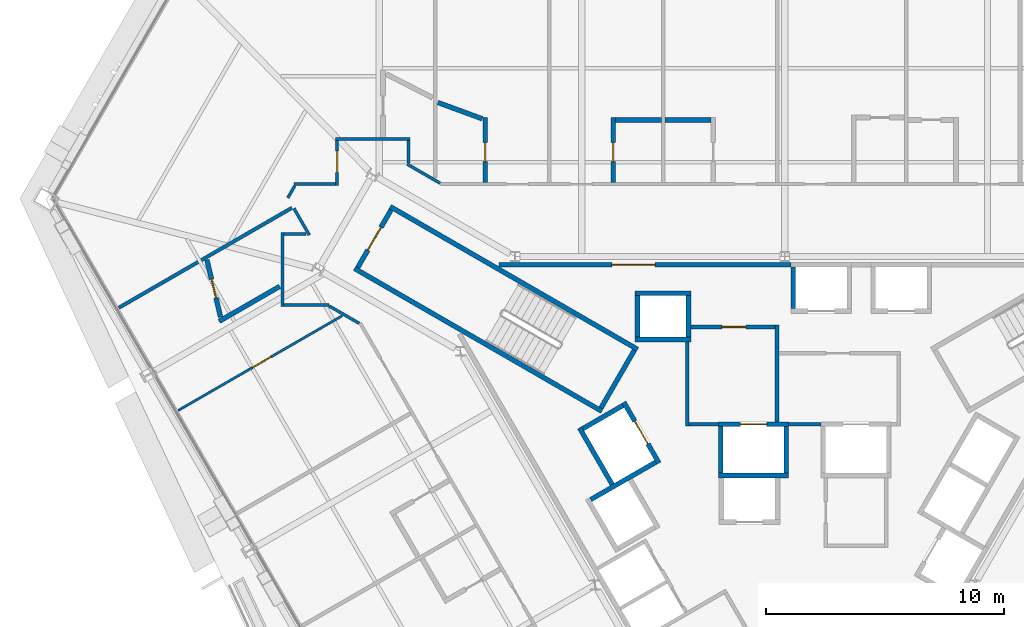
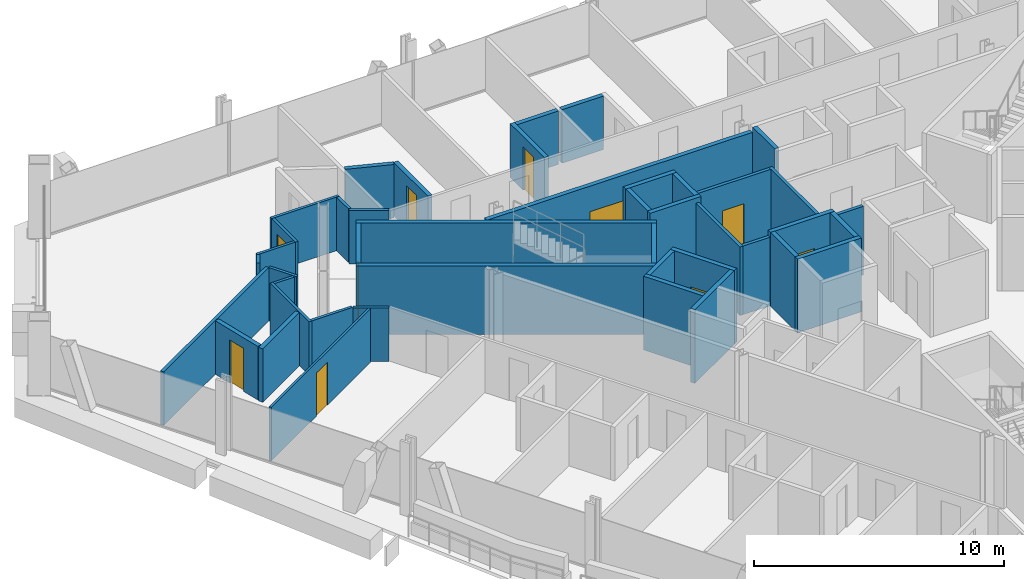
# One storey, part 14 of 18: 43 walls, 10 doors, 10 openings.
"""IFC4 building model written with IfcOpenShell, lengths in metres."""

from ifc_helpers import new_model, si_unit, direction, frame, frame_2d, origin, place, context, subcontext, project, spatial, rectangle, extrude, material, layer, layer_set, type_object, element, fill, save


model = new_model("IFC4")

# Units and contexts
model_context = context("Model", 3, precision=1e-05, world=origin(), true_north=direction((0.0, 1.0)))
body_context = subcontext(model_context, "Body", "Model", "MODEL_VIEW")
ifc_project = project(units=[si_unit("LENGTHUNIT", "METRE"), si_unit("AREAUNIT", "SQUARE_METRE"), si_unit("VOLUMEUNIT", "CUBIC_METRE"), si_unit("PLANEANGLEUNIT", "RADIAN"), si_unit("MASSUNIT", "GRAM", prefix="KILO")], contexts=[model_context])

# Site, building, storey
site_placement = place(None, origin())
site = spatial("IfcSite", under=ifc_project, at=site_placement, CompositionType="ELEMENT")
building_placement = place(site_placement, origin())
building = spatial("IfcBuilding", under=site, at=building_placement, Name="Verrane Prism Tower", CompositionType="ELEMENT")
storey_placement = place(building_placement, frame((0.0, 0.0, 54.800048828125)))
storey = spatial("IfcBuildingStorey", under=building, at=storey_placement, Name="L11", CompositionType="ELEMENT", Elevation=54.800048828125)

# Wall, opening, door
ifc_material_1 = material(Name="Gypsum board partition", Category="other")
ifc_layer_1 = layer(ifc_material_1, 0.199951171875)
ifc_layer_set_1 = layer_set([ifc_layer_1], Name="CW-200 core boundary wall 2 h")
wall_type_1 = type_object("IfcWallType", Name="CW-200 core boundary wall 2 h", PredefinedType="PARTITIONING", material=ifc_layer_set_1)
wall_1_placement = place(storey_placement, frame((0.262939453125, 8.860107421875, 0.0), z_axis=(0.0, 0.0, 1.0), x_axis=(-1.0, 0.0, 0.0)))
wall_1 = element("IfcWall", 1, at=wall_1_placement, inside=storey, type_object=wall_type_1, Name="Core boundary wall CW3-002", PredefinedType="PARTITIONING", context=body_context, shape_type="SweptSolid", body=[
    extrude(rectangle(XDim=12.25390625, YDim=0.199951171875, at=frame_2d((6.126953125, 0.0))), origin(), (0.0, 0.0, 1.0), 3.349853515625),
])
opening_1_placement = place(wall_1_placement, frame((5.708984375, 0.0, 0.0)))
opening_1 = element("IfcOpeningElement", 2, at=opening_1_placement, cuts=wall_1, Name="Opening D09511", PredefinedType="OPENING", context=body_context, shape_type="SweptSolid", body=[
    extrude(rectangle(XDim=1.800048828125, YDim=2.10009765625, at=frame_2d((0.89990234375, 1.050048828125))), frame((0.0, 0.10986328125, 0.0), z_axis=(0.0, -1.0, 0.0), x_axis=(1.0, 0.0, 0.0)), (0.0, 0.0, 1.0), 0.219970703125),
])
ifc_material_2 = material(Name="Timber veneered door leaf", Category="wood")
door_type_1 = type_object("IfcDoorType", Name="DR-1800x2100 FD60 double leaf lift lobby", OperationType="NOTDEFINED", PredefinedType="DOOR", material=ifc_material_2)
door_1_placement = place(opening_1_placement, origin())
door_1 = element("IfcDoor", 3, at=door_1_placement, inside=storey, type_object=door_type_1, Name="Lift lobby door D09511", OperationType="DOUBLE_DOOR_SINGLE_SWING", OverallHeight=2.10009765625, OverallWidth=1.800048828125, PredefinedType="DOOR", context=body_context, shape_type="SweptSolid", body=[
    extrude(rectangle(XDim=1.800048828125, YDim=2.10009765625, at=frame_2d((0.89990234375, 1.050048828125))), frame((0.0, 0.02490234375, 0.0), z_axis=(0.0, -1.0, 0.0), x_axis=(1.0, 0.0, 0.0)), (0.0, 0.0, 1.0), 0.050048828125),
])
fill(opening_1, door_1)

ifc_material_3 = material(Name="Concrete C40/50", Category="concrete")
ifc_layer_2 = layer(ifc_material_3, 0.199951171875)
ifc_layer_set_2 = layer_set([ifc_layer_2], Name="CW-200 stair core wall concrete C40/50 3 h")
wall_type_2 = type_object("IfcWallType", Name="CW-200 stair core wall concrete C40/50 3 h", PredefinedType="PARTITIONING", material=ifc_layer_set_2)
wall_2_placement = place(storey_placement, frame((-16.533935546875, 11.162353515625, 0.0), z_axis=(0.0, 0.0, 1.0), x_axis=(-0.49998411664, -0.866034573852, 0.0)))
wall_2 = element("IfcWall", 4, at=wall_2_placement, inside=storey, type_object=wall_type_2, Name="Stair 2 enclosure wall", PredefinedType="PARTITIONING", context=body_context, shape_type="SweptSolid", body=[
    extrude(rectangle(XDim=2.7998046875, YDim=0.199951171875, at=frame_2d((1.39990234375, 0.0))), origin(), (0.0, 0.0, 1.0), 3.349853515625),
])
opening_2_placement = place(wall_2_placement, frame((0.849853515625, 0.0, 0.0)))
opening_2 = element("IfcOpeningElement", 5, at=opening_2_placement, cuts=wall_2, Name="Opening D09501", PredefinedType="OPENING", context=body_context, shape_type="SweptSolid", body=[
    extrude(rectangle(XDim=1.10009765625, YDim=2.10009765625, at=frame_2d((0.550048828125, 1.050048828125))), frame((0.0, 0.10986328125, 0.0), z_axis=(0.0, -1.0, 0.0), x_axis=(1.0, 0.0, 0.0)), (0.0, 0.0, 1.0), 0.219970703125),
])
ifc_material_4 = material(Name="Timber veneered door leaf", Category="wood")
door_type_2 = type_object("IfcDoorType", Name="DR-1100x2100 FD90 single leaf stair", OperationType="NOTDEFINED", PredefinedType="DOOR", material=ifc_material_4)
door_2_placement = place(opening_2_placement, origin())
door_2 = element("IfcDoor", 6, at=door_2_placement, inside=storey, type_object=door_type_2, Name="Stair 2 door", OperationType="SINGLE_SWING_RIGHT", OverallHeight=2.10009765625, OverallWidth=1.10009765625, PredefinedType="DOOR", context=body_context, shape_type="SweptSolid", body=[
    extrude(rectangle(XDim=1.10009765625, YDim=2.10009765625, at=frame_2d((0.550048828125, 1.050048828125))), frame((0.0, 0.02490234375, 0.0), z_axis=(0.0, -1.0, 0.0), x_axis=(1.0, 0.0, 0.0)), (0.0, 0.0, 1.0), 0.050048828125),
])
fill(opening_2, door_2)

# Walls
for number, where, z_axis, x_axis, name in (
    (7, (-7.67822265625, 2.700927734375, 0.0), (0.0, 0.0, 1.0), (-0.866026010844, 0.49999894854, 0.0), "Stair 2 enclosure wall"),
    (8, (-6.17822265625, 5.299072265625, 0.0), (0.0, 0.0, 1.0), (-0.866026010844, 0.49999894854, 0.0), "Stair 2 enclosure wall"),
):
    element("IfcWall", number, at=place(storey_placement, frame(where, z_axis=z_axis, x_axis=x_axis)), inside=storey, type_object=wall_type_2, Name=name, PredefinedType="PARTITIONING", context=body_context, shape_type="SweptSolid", body=[
        extrude(rectangle(XDim=12.0, YDim=0.199951171875, at=frame_2d((6.0, 0.0))), origin(), (0.0, 0.0, 1.0), 3.349853515625),
    ])
wall_3_placement = place(storey_placement, frame((-6.314697265625, 5.262451171875, 0.0), z_axis=(0.0, 0.0, 1.0), x_axis=(-0.500049511043, -0.865996816683, 0.0)))
element("IfcWall", 9, at=wall_3_placement, inside=storey, type_object=wall_type_2, Name="Stair 2 enclosure wall", PredefinedType="PARTITIONING", context=body_context, shape_type="SweptSolid", body=[
    extrude(rectangle(XDim=2.800048828125, YDim=0.199951171875, at=frame_2d((1.39990234375, 0.0))), origin(), (0.0, 0.0, 1.0), 3.349853515625),
])
ifc_material_5 = material(Name="Gypsum board shaft wall assembly", Category="other")
ifc_layer_3 = layer(ifc_material_5, 0.199951171875)
ifc_layer_set_3 = layer_set([ifc_layer_3], Name="HW-200 lift shaft wall 2 h")
wall_type_3 = type_object("IfcWallType", Name="HW-200 lift shaft wall 2 h", PredefinedType="PARTITIONING", material=ifc_layer_set_3)
wall_4_placement = place(storey_placement, frame((-2.784912109375, 0.0, 0.0), z_axis=(0.0, 0.0, 1.0), x_axis=(1.0, 0.0, 0.0)))
element("IfcWall", 10, at=wall_4_placement, inside=storey, type_object=wall_type_3, Name="Lift shaft wall", PredefinedType="PARTITIONING", context=body_context, shape_type="SweptSolid", body=[
    extrude(rectangle(XDim=2.949951171875, YDim=0.199951171875, at=frame_2d((1.47509765625, 0.0))), origin(), (0.0, 0.0, 1.0), 3.599853515625),
])

# Wall, opening, door
wall_5_placement = place(storey_placement, frame((-2.784912109375, 2.14990234375, 0.0), z_axis=(0.0, 0.0, 1.0), x_axis=(1.0, 0.0, 0.0)))
wall_5 = element("IfcWall", 11, at=wall_5_placement, inside=storey, type_object=wall_type_3, Name="Lift shaft wall", PredefinedType="PARTITIONING", context=body_context, shape_type="SweptSolid", body=[
    extrude(rectangle(XDim=2.949951171875, YDim=0.199951171875, at=frame_2d((1.47509765625, 0.0))), origin(), (0.0, 0.0, 1.0), 3.599853515625),
])
opening_3_placement = place(wall_5_placement, frame((0.925048828125, 0.0, 0.0)))
opening_3 = element("IfcOpeningElement", 12, at=opening_3_placement, cuts=wall_5, Name="Opening D09508", PredefinedType="OPENING", context=body_context, shape_type="SweptSolid", body=[
    extrude(rectangle(XDim=1.10009765625, YDim=2.10009765625, at=frame_2d((0.550048828125, 1.050048828125))), frame((0.0, 0.10986328125, 0.0), z_axis=(0.0, -1.0, 0.0), x_axis=(1.0, 0.0, 0.0)), (0.0, 0.0, 1.0), 0.219970703125),
])
ifc_material_6 = material(Name="Stainless steel sliding landing door", Category="steel")
door_type_3 = type_object("IfcDoorType", Name="LD-1100x2100 lift landing door FD90 sliding", OperationType="NOTDEFINED", PredefinedType="DOOR", material=ifc_material_6)
door_3_placement = place(opening_3_placement, origin())
door_3 = element("IfcDoor", 13, at=door_3_placement, inside=storey, type_object=door_type_3, Name="Fire service lift 1 landing door", OperationType="SLIDING_TO_LEFT", OverallHeight=2.10009765625, OverallWidth=1.10009765625, PredefinedType="DOOR", context=body_context, shape_type="SweptSolid", body=[
    extrude(rectangle(XDim=1.10009765625, YDim=2.10009765625, at=frame_2d((0.550048828125, 1.050048828125))), frame((0.0, 0.02490234375, 0.0), z_axis=(0.0, -1.0, 0.0), x_axis=(1.0, 0.0, 0.0)), (0.0, 0.0, 1.0), 0.050048828125),
])
fill(opening_3, door_3)

# Walls
for number, where, z_axis, x_axis, name in (
    (14, (-6.284912109375, 5.7099609375, 0.0), (0.0, 0.0, 1.0), (1.0, 0.0, 0.0), "Lift shaft wall"),
    (15, (-6.284912109375, 7.659912109375, 0.0), (0.0, 0.0, 1.0), (1.0, 0.0, 0.0), "Lift shaft wall"),
):
    element("IfcWall", number, at=place(storey_placement, frame(where, z_axis=z_axis, x_axis=x_axis)), inside=storey, type_object=wall_type_3, Name=name, PredefinedType="PARTITIONING", context=body_context, shape_type="SweptSolid", body=[
        extrude(rectangle(XDim=2.349853515625, YDim=0.199951171875, at=frame_2d((1.1748046875, 0.0))), origin(), (0.0, 0.0, 1.0), 3.599853515625),
    ])
wall_6_placement = place(storey_placement, frame((-8.14453125, -1.012939453125, 0.0), z_axis=(0.0, 0.0, 1.0), x_axis=(0.866016494683, 0.500015430699, 0.0)))
element("IfcWall", 16, at=wall_6_placement, inside=storey, type_object=wall_type_3, Name="Lift shaft wall", PredefinedType="PARTITIONING", context=body_context, shape_type="SweptSolid", body=[
    extrude(rectangle(XDim=3.14990234375, YDim=0.199951171875, at=frame_2d((1.574951171875, 0.0))), origin(), (0.0, 0.0, 1.0), 3.599853515625),
])
wall_7_placement = place(storey_placement, frame((-8.48046875, 1.968505859375, 0.0), z_axis=(0.0, 0.0, 1.0), x_axis=(0.866000020948, 0.500043961785, 0.0)))
element("IfcWall", 17, at=wall_7_placement, inside=storey, type_object=wall_type_3, Name="Lift shaft wall", PredefinedType="PARTITIONING", context=body_context, shape_type="SweptSolid", body=[
    extrude(rectangle(XDim=1.949951171875, YDim=0.199951171875, at=frame_2d((0.97509765625, 0.0))), origin(), (0.0, 0.0, 1.0), 3.599853515625),
])
wall_8_placement = place(storey_placement, frame((0.364990234375, 7.010009765625, 0.0), z_axis=(0.0, 0.0, 1.0), x_axis=(0.0, 1.0, 0.0)))
element("IfcWall", 18, at=wall_8_placement, inside=storey, type_object=wall_type_3, Name="Lift shaft wall", PredefinedType="PARTITIONING", context=body_context, shape_type="SweptSolid", body=[
    extrude(rectangle(XDim=1.75, YDim=0.199951171875, at=frame_2d((0.875, 0.0))), origin(), (0.0, 0.0, 1.0), 3.599853515625),
])
for number, where, z_axis, x_axis, name in (
    (19, (0.06494140625, 0.10009765625, 0.0), (0.0, 0.0, 1.0), (0.0, 1.0, 0.0), "Lift shaft wall"),
    (20, (-2.68505859375, 0.10009765625, 0.0), (0.0, 0.0, 1.0), (0.0, 1.0, 0.0), "Lift shaft wall"),
):
    element("IfcWall", number, at=place(storey_placement, frame(where, z_axis=z_axis, x_axis=x_axis)), inside=storey, type_object=wall_type_3, Name=name, PredefinedType="PARTITIONING", context=body_context, shape_type="SweptSolid", body=[
        extrude(rectangle(XDim=1.949951171875, YDim=0.199951171875, at=frame_2d((0.97509765625, 0.0))), origin(), (0.0, 0.0, 1.0), 3.599853515625),
    ])
for number, where, z_axis, x_axis, name in (
    (21, (-4.034912109375, 5.81005859375, 0.0), (0.0, 0.0, 1.0), (0.0, 1.0, 0.0), "Lift shaft wall"),
    (22, (-6.18505859375, 5.81005859375, 0.0), (0.0, 0.0, 1.0), (0.0, 1.0, 0.0), "Lift shaft wall"),
):
    element("IfcWall", number, at=place(storey_placement, frame(where, z_axis=z_axis, x_axis=x_axis)), inside=storey, type_object=wall_type_3, Name=name, PredefinedType="PARTITIONING", context=body_context, shape_type="SweptSolid", body=[
        extrude(rectangle(XDim=1.75, YDim=0.199951171875, at=frame_2d((0.875, 0.0))), origin(), (0.0, 0.0, 1.0), 3.599853515625),
    ])

# Wall, opening, door
wall_9_placement = place(storey_placement, frame((-5.280029296875, 0.525390625, 0.0), z_axis=(0.0, 0.0, 1.0), x_axis=(-0.500037662692, 0.866003658127, 0.0)))
wall_9 = element("IfcWall", 23, at=wall_9_placement, inside=storey, type_object=wall_type_3, Name="Lift shaft wall", PredefinedType="PARTITIONING", context=body_context, shape_type="SweptSolid", body=[
    extrude(rectangle(XDim=2.949951171875, YDim=0.199951171875, at=frame_2d((1.47509765625, 0.0))), origin(), (0.0, 0.0, 1.0), 3.599853515625),
])
opening_4_placement = place(wall_9_placement, frame((0.925048828125, 0.0, 0.0)))
opening_4 = element("IfcOpeningElement", 24, at=opening_4_placement, cuts=wall_9, Name="Opening D09510", PredefinedType="OPENING", context=body_context, shape_type="SweptSolid", body=[
    extrude(rectangle(XDim=1.10009765625, YDim=2.10009765625, at=frame_2d((0.550048828125, 1.050048828125))), frame((0.0, 0.10986328125, 0.0), z_axis=(0.0, -1.0, 0.0), x_axis=(1.0, 0.0, 0.0)), (0.0, 0.0, 1.0), 0.219970703125),
])
door_4_placement = place(opening_4_placement, origin())
door_4 = element("IfcDoor", 25, at=door_4_placement, inside=storey, type_object=door_type_3, Name="Service lift 1 landing door", OperationType="SLIDING_TO_LEFT", OverallHeight=2.10009765625, OverallWidth=1.10009765625, PredefinedType="DOOR", context=body_context, shape_type="SweptSolid", body=[
    extrude(rectangle(XDim=1.10009765625, YDim=2.10009765625, at=frame_2d((0.550048828125, 1.050048828125))), frame((0.0, 0.02490234375, 0.0), z_axis=(0.0, -1.0, 0.0), x_axis=(1.0, 0.0, 0.0)), (0.0, 0.0, 1.0), 0.050048828125),
])
fill(opening_4, door_4)

# Walls
wall_10_placement = place(storey_placement, frame((-7.241943359375, -0.37646484375, 0.0), z_axis=(0.0, 0.0, 1.0), x_axis=(-0.499996545922, 0.866027397988, 0.0)))
element("IfcWall", 26, at=wall_10_placement, inside=storey, type_object=wall_type_3, Name="Lift shaft wall", PredefinedType="PARTITIONING", context=body_context, shape_type="SweptSolid", body=[
    extrude(rectangle(XDim=2.75, YDim=0.199951171875, at=frame_2d((1.375, 0.0))), origin(), (0.0, 0.0, 1.0), 3.599853515625),
])
ifc_material_7 = material(Name="Gypsum board partition", Category="other")
ifc_layer_4 = layer(ifc_material_7, 0.14990234375)
ifc_layer_set_4 = layer_set([ifc_layer_4], Name="LF-150 firefighting lobby wall 1 h")
wall_type_4 = type_object("IfcWallType", Name="LF-150 firefighting lobby wall 1 h", PredefinedType="PARTITIONING", material=ifc_layer_set_4)
wall_11_placement = place(storey_placement, frame((-4.10009765625, 2.0849609375, 0.0), z_axis=(0.0, 0.0, 1.0), x_axis=(0.0, 1.0, 0.0)))
element("IfcWall", 27, at=wall_11_placement, inside=storey, type_object=wall_type_4, Name="Firefighting lobby wall LF1-001", PredefinedType="PARTITIONING", context=body_context, shape_type="SweptSolid", body=[
    extrude(rectangle(XDim=3.52294921875, YDim=0.14990234375, at=frame_2d((1.761474609375, 0.0))), origin(), (0.0, 0.0, 1.0), 3.349853515625),
])
wall_12_placement = place(storey_placement, frame((-4.02490234375, 2.159912109375, 0.0), z_axis=(0.0, 0.0, 1.0), x_axis=(1.0, 0.0, 0.0)))
element("IfcWall", 28, at=wall_12_placement, inside=storey, type_object=wall_type_4, Name="Firefighting lobby wall LF1-002", PredefinedType="PARTITIONING", context=body_context, shape_type="SweptSolid", body=[
    extrude(rectangle(XDim=1.23779296875, YDim=0.14990234375, at=frame_2d((0.618896484375, 0.0))), origin(), (0.0, 0.0, 1.0), 3.349853515625),
])

# Wall, opening, door
wall_13_placement = place(storey_placement, frame((-3.93310546875, 6.239990234375, 0.0), z_axis=(0.0, 0.0, 1.0), x_axis=(1.0, 0.0, 0.0)))
wall_13 = element("IfcWall", 29, at=wall_13_placement, inside=storey, type_object=wall_type_4, Name="Firefighting lobby wall LF1-003", PredefinedType="PARTITIONING", context=body_context, shape_type="SweptSolid", body=[
    extrude(rectangle(XDim=3.5380859375, YDim=0.14990234375, at=frame_2d((1.76904296875, 0.0))), origin(), (0.0, 0.0, 1.0), 3.349853515625),
])
opening_5_placement = place(wall_13_placement, frame((1.300048828125, 0.0, 0.0)))
opening_5 = element("IfcOpeningElement", 30, at=opening_5_placement, cuts=wall_13, Name="Opening D09515", PredefinedType="OPENING", context=body_context, shape_type="SweptSolid", body=[
    extrude(rectangle(XDim=1.0, YDim=2.10009765625, at=frame_2d((0.5, 1.050048828125))), frame((0.0, 0.0849609375, 0.0), z_axis=(0.0, -1.0, 0.0), x_axis=(1.0, 0.0, 0.0)), (0.0, 0.0, 1.0), 0.169921875),
])
ifc_material_8 = material(Name="Timber veneered door leaf", Category="wood")
door_type_4 = type_object("IfcDoorType", Name="DR-1000x2100 FD60 single leaf firefighting lobby", OperationType="NOTDEFINED", PredefinedType="DOOR", material=ifc_material_8)
door_5_placement = place(opening_5_placement, origin())
door_5 = element("IfcDoor", 31, at=door_5_placement, inside=storey, type_object=door_type_4, Name="Firefighting lobby door D09515", OperationType="SINGLE_SWING_LEFT", OverallHeight=2.10009765625, OverallWidth=1.0, PredefinedType="DOOR", context=body_context, shape_type="SweptSolid", body=[
    extrude(rectangle(XDim=1.0, YDim=2.10009765625, at=frame_2d((0.5, 1.050048828125))), frame((0.0, 0.02490234375, 0.0), z_axis=(0.0, -1.0, 0.0), x_axis=(1.0, 0.0, 0.0)), (0.0, 0.0, 1.0), 0.050048828125),
])
fill(opening_5, door_5)

# Walls
wall_14_placement = place(storey_placement, frame((-0.320068359375, 2.251953125, 0.0), z_axis=(0.0, 0.0, 1.0), x_axis=(0.0, 1.0, 0.0)))
element("IfcWall", 32, at=wall_14_placement, inside=storey, type_object=wall_type_4, Name="Firefighting lobby wall LF1-004", PredefinedType="PARTITIONING", context=body_context, shape_type="SweptSolid", body=[
    extrude(rectangle(XDim=4.06298828125, YDim=0.14990234375, at=frame_2d((2.031494140625, 0.0))), origin(), (0.0, 0.0, 1.0), 3.349853515625),
])
wall_15_placement = place(storey_placement, frame((0.1669921875, 2.159912109375, 0.0), z_axis=(0.0, 0.0, 1.0), x_axis=(1.0, 0.0, 0.0)))
element("IfcWall", 33, at=wall_15_placement, inside=storey, type_object=wall_type_4, Name="Firefighting lobby wall LF1-006", PredefinedType="PARTITIONING", context=body_context, shape_type="SweptSolid", body=[
    extrude(rectangle(XDim=1.35595703125, YDim=0.14990234375, at=frame_2d((0.677978515625, 0.0))), origin(), (0.0, 0.0, 1.0), 3.349853515625),
])

# Wall, opening, door
ifc_material_9 = material(Name="Gypsum board partition", Category="other")
ifc_layer_5 = layer(ifc_material_9, 0.10009765625)
ifc_layer_set_5 = layer_set([ifc_layer_5], Name="PW-100 room partition")
wall_type_5 = type_object("IfcWallType", Name="PW-100 room partition", PredefinedType="PARTITIONING", material=ifc_layer_set_5)
wall_16_placement = place(storey_placement, frame((-25.4755859375, 2.735107421875, 0.0), z_axis=(0.0, 0.0, 1.0), x_axis=(0.866077639848, 0.499909513568, 0.0)))
wall_16 = element("IfcWall", 34, at=wall_16_placement, inside=storey, type_object=wall_type_5, Name="Room partition 002", PredefinedType="PARTITIONING", context=body_context, shape_type="SweptSolid", body=[
    extrude(rectangle(XDim=7.9462890625, YDim=0.10009765625, at=frame_2d((3.97314453125, 0.0))), origin(), (0.0, 0.0, 1.0), 2.613037109375),
])
opening_6_placement = place(wall_16_placement, frame((3.603759765625, 0.0, 0.0)))
opening_6 = element("IfcOpeningElement", 35, at=opening_6_placement, cuts=wall_16, Name="Opening D09027", PredefinedType="OPENING", context=body_context, shape_type="SweptSolid", body=[
    extrude(rectangle(XDim=0.89990234375, YDim=2.10009765625, at=frame_2d((0.449951171875, 1.050048828125))), frame((0.0, 0.06005859375, 0.0), z_axis=(0.0, -1.0, 0.0), x_axis=(1.0, 0.0, 0.0)), (0.0, 0.0, 1.0), 0.1201171875),
])
ifc_material_10 = material(Name="Timber veneered door leaf", Category="wood")
door_type_5 = type_object("IfcDoorType", Name="DR-900x2100 single leaf inner", OperationType="NOTDEFINED", PredefinedType="DOOR", material=ifc_material_10)
door_6_placement = place(opening_6_placement, origin())
door_6 = element("IfcDoor", 36, at=door_6_placement, inside=storey, type_object=door_type_5, Name="Suite Living Room door", OperationType="SINGLE_SWING_LEFT", OverallHeight=2.10009765625, OverallWidth=0.89990234375, PredefinedType="DOOR", context=body_context, shape_type="SweptSolid", body=[
    extrude(rectangle(XDim=0.89990234375, YDim=2.10009765625, at=frame_2d((0.449951171875, 1.050048828125))), frame((0.0, 0.02490234375, 0.0), z_axis=(0.0, -1.0, 0.0), x_axis=(1.0, 0.0, 0.0)), (0.0, 0.0, 1.0), 0.050048828125),
])
fill(opening_6, door_6)

# Walls
ifc_material_11 = material(Name="Gypsum board partition", Category="other")
ifc_layer_6 = layer(ifc_material_11, 0.125)
ifc_layer_set_6 = layer_set([ifc_layer_6], Name="PW-125 corridor wall 1 h")
wall_type_6 = type_object("IfcWallType", Name="PW-125 corridor wall 1 h", PredefinedType="PARTITIONING", material=ifc_layer_set_6)
wall_17_placement = place(storey_placement, frame((-21.096923828125, 7.1005859375, 0.0), z_axis=(0.0, 0.0, 1.0), x_axis=(0.0, 1.0, 0.0)))
element("IfcWall", 37, at=wall_17_placement, inside=storey, type_object=wall_type_6, Name="Corridor wall 006", PredefinedType="PARTITIONING", context=body_context, shape_type="SweptSolid", body=[
    extrude(rectangle(XDim=3.118896484375, YDim=0.125, at=frame_2d((1.5595703125, 0.0))), origin(), (0.0, 0.0, 1.0), 2.613037109375),
])
wall_18_placement = place(storey_placement, frame((-21.031982421875, 7.1630859375, 0.0), z_axis=(0.0, 0.0, 1.0), x_axis=(1.0, 0.0, 0.0)))
element("IfcWall", 38, at=wall_18_placement, inside=storey, type_object=wall_type_6, Name="Corridor wall 007", PredefinedType="PARTITIONING", context=body_context, shape_type="SweptSolid", body=[
    extrude(rectangle(XDim=1.888427734375, YDim=0.125, at=frame_2d((0.9443359375, 0.0))), origin(), (0.0, 0.0, 1.0), 2.613037109375),
])
wall_19_placement = place(storey_placement, frame((-21.031982421875, 10.156982421875, 0.0), z_axis=(0.0, 0.0, 1.0), x_axis=(1.0, 0.0, 0.0)))
element("IfcWall", 39, at=wall_19_placement, inside=storey, type_object=wall_type_6, Name="Corridor wall 008", PredefinedType="PARTITIONING", context=body_context, shape_type="SweptSolid", body=[
    extrude(rectangle(XDim=0.927978515625, YDim=0.125, at=frame_2d((0.4638671875, 0.0))), origin(), (0.0, 0.0, 1.0), 2.613037109375),
])
wall_20_placement = place(storey_placement, frame((-20.87109375, 11.6669921875, 0.0), z_axis=(0.0, 0.0, 1.0), x_axis=(0.500769941337, 0.865580421367, 0.0)))
element("IfcWall", 40, at=wall_20_placement, inside=storey, type_object=wall_type_6, Name="Corridor wall 009", PredefinedType="PARTITIONING", context=body_context, shape_type="SweptSolid", body=[
    extrude(rectangle(XDim=0.578125, YDim=0.125, at=frame_2d((0.2890625, 0.0))), origin(), (0.0, 0.0, 1.0), 2.613037109375),
])
wall_21_placement = place(storey_placement, frame((-20.61474609375, 11.22314453125, 0.0), z_axis=(0.0, 0.0, 1.0), x_axis=(0.500076370288, -0.865981306888, 0.0)))
element("IfcWall", 41, at=wall_21_placement, inside=storey, type_object=wall_type_6, Name="Corridor wall 010", PredefinedType="PARTITIONING", context=body_context, shape_type="SweptSolid", body=[
    extrude(rectangle(XDim=1.293701171875, YDim=0.125, at=frame_2d((0.64697265625, 0.0))), origin(), (0.0, 0.0, 1.0), 2.613037109375),
])
wall_22_placement = place(storey_placement, frame((-20.6015625, 12.240966796875, 0.0), z_axis=(0.0, 0.0, 1.0), x_axis=(1.0, 0.0, 0.0)))
element("IfcWall", 42, at=wall_22_placement, inside=storey, type_object=wall_type_6, Name="Corridor wall 011", PredefinedType="PARTITIONING", context=body_context, shape_type="SweptSolid", body=[
    extrude(rectangle(XDim=1.739501953125, YDim=0.125, at=frame_2d((0.86962890625, 0.0))), origin(), (0.0, 0.0, 1.0), 2.613037109375),
])
wall_23_placement = place(storey_placement, frame((-19.13232421875, 7.12060546875, 0.0), z_axis=(0.0, 0.0, 1.0), x_axis=(0.865894215669, -0.500227155672, 0.0)))
element("IfcWall", 43, at=wall_23_placement, inside=storey, type_object=wall_type_6, Name="Corridor wall 013", PredefinedType="PARTITIONING", context=body_context, shape_type="SweptSolid", body=[
    extrude(rectangle(XDim=1.451416015625, YDim=0.125, at=frame_2d((0.7255859375, 0.0))), origin(), (0.0, 0.0, 1.0), 2.613037109375),
])

# Wall, opening, door
wall_24_placement = place(storey_placement, frame((-18.797119140625, 12.178466796875, 0.0), z_axis=(0.0, 0.0, 1.0), x_axis=(0.0, 1.0, 0.0)))
wall_24 = element("IfcWall", 44, at=wall_24_placement, inside=storey, type_object=wall_type_6, Name="Corridor wall 014", PredefinedType="PARTITIONING", context=body_context, shape_type="SweptSolid", body=[
    extrude(rectangle(XDim=1.8935546875, YDim=0.125, at=frame_2d((0.94677734375, 0.0))), origin(), (0.0, 0.0, 1.0), 2.613037109375),
])
opening_7_placement = place(wall_24_placement, frame((0.5625, 0.0, 0.0)))
opening_7 = element("IfcOpeningElement", 45, at=opening_7_placement, cuts=wall_24, Name="Opening D09024", PredefinedType="OPENING", context=body_context, shape_type="SweptSolid", body=[
    extrude(rectangle(XDim=0.89990234375, YDim=2.10009765625, at=frame_2d((0.449951171875, 1.050048828125))), frame((0.0, 0.072509765625, 0.0), z_axis=(0.0, -1.0, 0.0), x_axis=(1.0, 0.0, 0.0)), (0.0, 0.0, 1.0), 0.14501953125),
])
ifc_material_12 = material(Name="Timber veneered door leaf", Category="wood")
door_type_6 = type_object("IfcDoorType", Name="DR-900x2100 FD20 single leaf unit", OperationType="NOTDEFINED", PredefinedType="DOOR", material=ifc_material_12)
door_7_placement = place(opening_7_placement, origin())
door_7 = element("IfcDoor", 46, at=door_7_placement, inside=storey, type_object=door_type_6, Name="Corner Suite door", OperationType="SINGLE_SWING_RIGHT", OverallHeight=2.10009765625, OverallWidth=0.89990234375, PredefinedType="DOOR", context=body_context, shape_type="SweptSolid", body=[
    extrude(rectangle(XDim=0.89990234375, YDim=2.10009765625, at=frame_2d((0.449951171875, 1.050048828125))), frame((0.0, 0.02490234375, 0.0), z_axis=(0.0, -1.0, 0.0), x_axis=(1.0, 0.0, 0.0)), (0.0, 0.0, 1.0), 0.050048828125),
])
fill(opening_7, door_7)

# Walls
wall_25_placement = place(storey_placement, frame((-18.859619140625, 14.136962890625, 0.0), z_axis=(0.0, 0.0, 1.0), x_axis=(1.0, 0.0, 0.0)))
element("IfcWall", 47, at=wall_25_placement, inside=storey, type_object=wall_type_6, Name="Corridor wall 015", PredefinedType="PARTITIONING", context=body_context, shape_type="SweptSolid", body=[
    extrude(rectangle(XDim=3.119140625, YDim=0.125, at=frame_2d((1.5595703125, 0.0))), origin(), (0.0, 0.0, 1.0), 2.613037109375),
])
wall_26_placement = place(storey_placement, frame((-15.802978515625, 13.135009765625, 0.0), z_axis=(0.0, 0.0, 1.0), x_axis=(0.0, 1.0, 0.0)))
element("IfcWall", 48, at=wall_26_placement, inside=storey, type_object=wall_type_6, Name="Corridor wall 022", PredefinedType="PARTITIONING", context=body_context, shape_type="SweptSolid", body=[
    extrude(rectangle(XDim=0.93701171875, YDim=0.125, at=frame_2d((0.468505859375, 0.0))), origin(), (0.0, 0.0, 1.0), 2.613037109375),
])
wall_27_placement = place(storey_placement, frame((-15.857177734375, 13.081298828125, 0.0), z_axis=(0.0, 0.0, 1.0), x_axis=(0.865974057503, -0.500088923824, 0.0)))
element("IfcWall", 49, at=wall_27_placement, inside=storey, type_object=wall_type_6, Name="Corridor wall 023", PredefinedType="PARTITIONING", context=body_context, shape_type="SweptSolid", body=[
    extrude(rectangle(XDim=1.595458984375, YDim=0.125, at=frame_2d((0.7978515625, 0.0))), origin(), (0.0, 0.0, 1.0), 2.613037109375),
])
ifc_material_13 = material(Name="Gypsum board partition", Category="other")
ifc_layer_7 = layer(ifc_material_13, 0.14990234375)
ifc_layer_set_7 = layer_set([ifc_layer_7], Name="PW-150 demising wall 1 h")
wall_type_7 = type_object("IfcWallType", Name="PW-150 demising wall 1 h", PredefinedType="PARTITIONING", material=ifc_layer_set_7)
wall_28_placement = place(storey_placement, frame((-27.966796875, 7.050048828125, 0.0), z_axis=(0.0, 0.0, 1.0), x_axis=(0.86603249375, 0.499987719618, 0.0)))
element("IfcWall", 50, at=wall_28_placement, inside=storey, type_object=wall_type_7, Name="Demising wall 001", PredefinedType="PARTITIONING", context=body_context, shape_type="SweptSolid", body=[
    extrude(rectangle(XDim=8.391845703125, YDim=0.14990234375, at=frame_2d((4.19580078125, 0.0))), origin(), (0.0, 0.0, 1.0), 2.613037109375),
])

# Wall, opening, door
ifc_material_14 = material(Name="Gypsum board partition", Category="other")
ifc_layer_8 = layer(ifc_material_14, 0.199951171875)
ifc_layer_set_8 = layer_set([ifc_layer_8], Name="PW-200 plumbing wall")
wall_type_8 = type_object("IfcWallType", Name="PW-200 plumbing wall", PredefinedType="PARTITIONING", material=ifc_layer_set_8)
wall_29_placement = place(storey_placement, frame((-24.27197265625, 9.06396484375, 0.0), z_axis=(0.0, 0.0, 1.0), x_axis=(0.232636237171, -0.972563818551, 0.0)))
wall_29 = element("IfcWall", 51, at=wall_29_placement, inside=storey, type_object=wall_type_8, Name="Plumbing wall 003", PredefinedType="PARTITIONING", context=body_context, shape_type="SweptSolid", body=[
    extrude(rectangle(XDim=2.469482421875, YDim=0.199951171875, at=frame_2d((1.23486328125, 0.0))), origin(), (0.0, 0.0, 1.0), 2.613037109375),
])
opening_8_placement = place(wall_29_placement, frame((0.842041015625, 0.0, 0.0)))
opening_8 = element("IfcOpeningElement", 52, at=opening_8_placement, cuts=wall_29, Name="Opening D09028", PredefinedType="OPENING", context=body_context, shape_type="SweptSolid", body=[
    extrude(rectangle(XDim=0.800048828125, YDim=2.10009765625, at=frame_2d((0.39990234375, 1.050048828125))), frame((0.0, 0.10986328125, 0.0), z_axis=(0.0, -1.0, 0.0), x_axis=(1.0, 0.0, 0.0)), (0.0, 0.0, 1.0), 0.219970703125),
])
ifc_material_15 = material(Name="Timber veneered door leaf", Category="wood")
door_type_7 = type_object("IfcDoorType", Name="DR-800x2100 single leaf bath", OperationType="NOTDEFINED", PredefinedType="DOOR", material=ifc_material_15)
door_8_placement = place(opening_8_placement, origin())
door_8 = element("IfcDoor", 53, at=door_8_placement, inside=storey, type_object=door_type_7, Name="En-Suite door", OperationType="SINGLE_SWING_RIGHT", OverallHeight=2.10009765625, OverallWidth=0.800048828125, PredefinedType="DOOR", context=body_context, shape_type="SweptSolid", body=[
    extrude(rectangle(XDim=0.800048828125, YDim=2.10009765625, at=frame_2d((0.39990234375, 1.050048828125))), frame((0.0, 0.02490234375, 0.0), z_axis=(0.0, -1.0, 0.0), x_axis=(1.0, 0.0, 0.0)), (0.0, 0.0, 1.0), 0.050048828125),
])
fill(opening_8, door_8)

# Walls
wall_30_placement = place(storey_placement, frame((-23.752685546875, 6.48095703125, 0.0), z_axis=(0.0, 0.0, 1.0), x_axis=(0.866070680301, 0.499921570572, 0.0)))
element("IfcWall", 54, at=wall_30_placement, inside=storey, type_object=wall_type_8, Name="Plumbing wall 004", PredefinedType="PARTITIONING", context=body_context, shape_type="SweptSolid", body=[
    extrude(rectangle(XDim=2.9365234375, YDim=0.199951171875, at=frame_2d((1.46826171875, 0.0))), origin(), (0.0, 0.0, 1.0), 2.613037109375),
])
wall_31_placement = place(storey_placement, frame((-14.566650390625, 15.6708984375, 0.0), z_axis=(0.0, 0.0, 1.0), x_axis=(0.938894816734, -0.344204188105, 0.0)))
element("IfcWall", 55, at=wall_31_placement, inside=storey, type_object=wall_type_8, Name="Plumbing wall 027", PredefinedType="PARTITIONING", context=body_context, shape_type="SweptSolid", body=[
    extrude(rectangle(XDim=1.990234375, YDim=0.199951171875, at=frame_2d((0.9951171875, 0.0))), origin(), (0.0, 0.0, 1.0), 2.613037109375),
])

# Wall, opening, door
wall_32_placement = place(storey_placement, frame((-12.575927734375, 12.303466796875, 0.0), z_axis=(0.0, 0.0, 1.0), x_axis=(0.0, 1.0, 0.0)))
wall_32 = element("IfcWall", 56, at=wall_32_placement, inside=storey, type_object=wall_type_8, Name="Plumbing wall 031", PredefinedType="PARTITIONING", context=body_context, shape_type="SweptSolid", body=[
    extrude(rectangle(XDim=2.737548828125, YDim=0.199951171875, at=frame_2d((1.36865234375, 0.0))), origin(), (0.0, 0.0, 1.0), 2.613037109375),
])
opening_9_placement = place(wall_32_placement, frame((0.887451171875, 0.0, 0.0)))
opening_9 = element("IfcOpeningElement", 57, at=opening_9_placement, cuts=wall_32, Name="Opening D09023", PredefinedType="OPENING", context=body_context, shape_type="SweptSolid", body=[
    extrude(rectangle(XDim=0.800048828125, YDim=2.10009765625, at=frame_2d((0.39990234375, 1.050048828125))), frame((0.0, 0.10986328125, 0.0), z_axis=(0.0, -1.0, 0.0), x_axis=(1.0, 0.0, 0.0)), (0.0, 0.0, 1.0), 0.219970703125),
])
door_9_placement = place(opening_9_placement, origin())
door_9 = element("IfcDoor", 58, at=door_9_placement, inside=storey, type_object=door_type_7, Name="En-Suite door", OperationType="SINGLE_SWING_LEFT", OverallHeight=2.10009765625, OverallWidth=0.800048828125, PredefinedType="DOOR", context=body_context, shape_type="SweptSolid", body=[
    extrude(rectangle(XDim=0.800048828125, YDim=2.10009765625, at=frame_2d((0.39990234375, 1.050048828125))), frame((0.0, 0.02490234375, 0.0), z_axis=(0.0, -1.0, 0.0), x_axis=(1.0, 0.0, 0.0)), (0.0, 0.0, 1.0), 0.050048828125),
])
fill(opening_9, door_9)

wall_33_placement = place(storey_placement, frame((-7.199951171875, 15.041015625, 0.0), z_axis=(0.0, 0.0, 1.0), x_axis=(0.0, -1.0, 0.0)))
wall_33 = element("IfcWall", 59, at=wall_33_placement, inside=storey, type_object=wall_type_8, Name="Plumbing wall 038", PredefinedType="PARTITIONING", context=body_context, shape_type="SweptSolid", body=[
    extrude(rectangle(XDim=2.737548828125, YDim=0.199951171875, at=frame_2d((1.36865234375, 0.0))), origin(), (0.0, 0.0, 1.0), 2.613037109375),
])
opening_10_placement = place(wall_33_placement, frame((1.050048828125, 0.0, 0.0)))
opening_10 = element("IfcOpeningElement", 60, at=opening_10_placement, cuts=wall_33, Name="Opening D09021", PredefinedType="OPENING", context=body_context, shape_type="SweptSolid", body=[
    extrude(rectangle(XDim=0.800048828125, YDim=2.10009765625, at=frame_2d((0.39990234375, 1.050048828125))), frame((0.0, 0.10986328125, 0.0), z_axis=(0.0, -1.0, 0.0), x_axis=(1.0, 0.0, 0.0)), (0.0, 0.0, 1.0), 0.219970703125),
])
door_10_placement = place(opening_10_placement, origin())
door_10 = element("IfcDoor", 61, at=door_10_placement, inside=storey, type_object=door_type_7, Name="En-Suite door", OperationType="SINGLE_SWING_RIGHT", OverallHeight=2.10009765625, OverallWidth=0.800048828125, PredefinedType="DOOR", context=body_context, shape_type="SweptSolid", body=[
    extrude(rectangle(XDim=0.800048828125, YDim=2.10009765625, at=frame_2d((0.39990234375, 1.050048828125))), frame((0.0, 0.02490234375, 0.0), z_axis=(0.0, -1.0, 0.0), x_axis=(1.0, 0.0, 0.0)), (0.0, 0.0, 1.0), 0.050048828125),
])
fill(opening_10, door_10)

# Walls
wall_34_placement = place(storey_placement, frame((-7.10009765625, 14.94091796875, 0.0), z_axis=(0.0, 0.0, 1.0), x_axis=(1.0, 0.0, 0.0)))
element("IfcWall", 62, at=wall_34_placement, inside=storey, type_object=wall_type_8, Name="Plumbing wall 039", PredefinedType="PARTITIONING", context=body_context, shape_type="SweptSolid", body=[
    extrude(rectangle(XDim=1.920166015625, YDim=0.199951171875, at=frame_2d((0.9599609375, 0.0))), origin(), (0.0, 0.0, 1.0), 2.613037109375),
])
wall_35_placement = place(storey_placement, frame((-5.02001953125, 14.94091796875, 0.0), z_axis=(0.0, 0.0, 1.0), x_axis=(1.0, 0.0, 0.0)))
element("IfcWall", 63, at=wall_35_placement, inside=storey, type_object=wall_type_8, Name="Plumbing wall 045", PredefinedType="PARTITIONING", context=body_context, shape_type="SweptSolid", body=[
    extrude(rectangle(XDim=1.919921875, YDim=0.199951171875, at=frame_2d((0.9599609375, 0.0))), origin(), (0.0, 0.0, 1.0), 2.613037109375),
])

save(model, "model.ifc")
